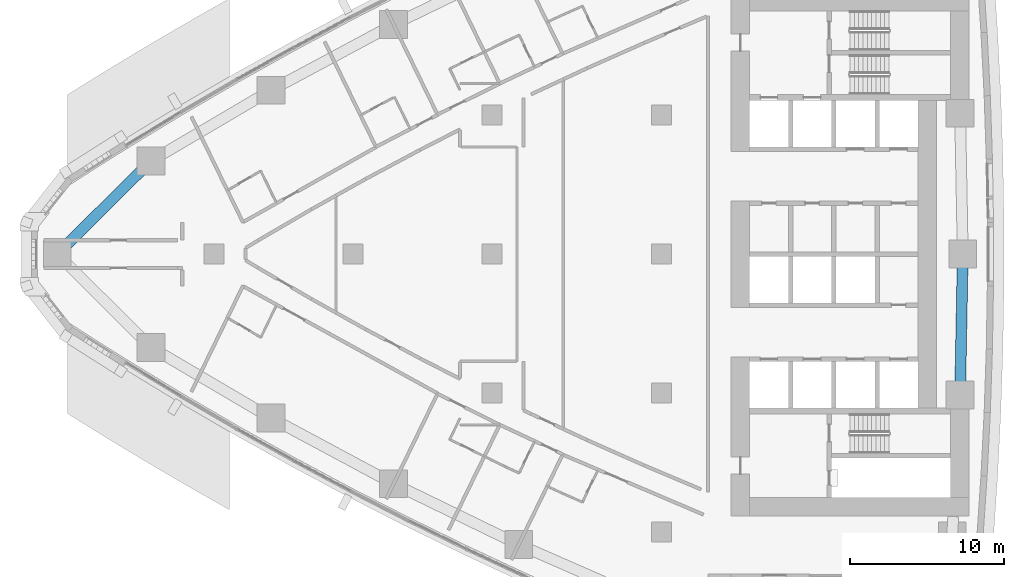
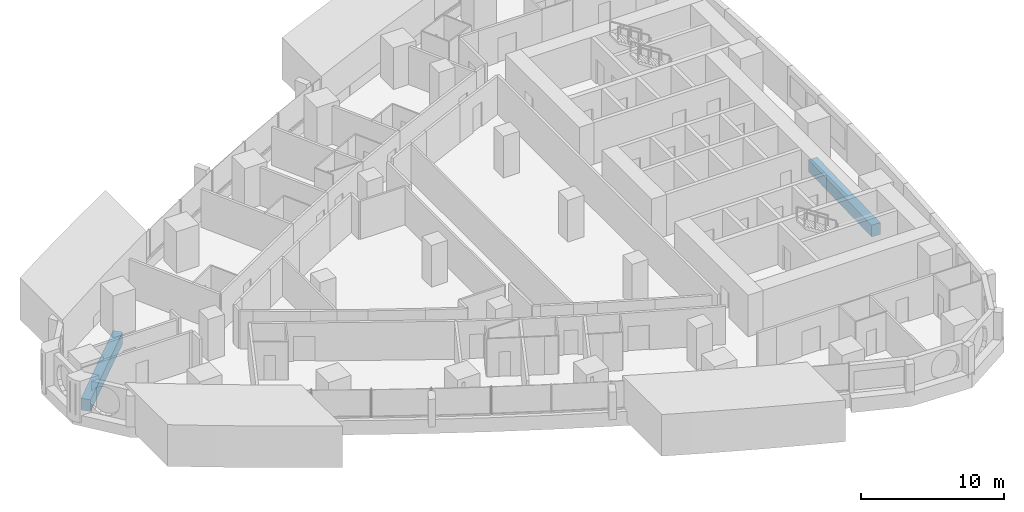
# One storey, part 4 of 19: 2 beams.
"""IFC4 building model written with IfcOpenShell, lengths in metres."""

from ifc_helpers import new_model, si_unit, direction, frame, origin, origin_2d, place, context, subcontext, project, spatial, rectangle, extrude, material, material_profile, profile_set, type_object, element, save


model = new_model("IFC4")

# Units and contexts
model_context = context("Model", 3, precision=1e-05, world=origin(), true_north=direction((0.0, 1.0)))
body_context = subcontext(model_context, "Body", "Model", "MODEL_VIEW")
ifc_project = project(units=[si_unit("LENGTHUNIT", "METRE"), si_unit("AREAUNIT", "SQUARE_METRE"), si_unit("VOLUMEUNIT", "CUBIC_METRE"), si_unit("PLANEANGLEUNIT", "RADIAN"), si_unit("MASSUNIT", "GRAM", prefix="KILO")], contexts=[model_context])

# Site, building, storey
site_placement = place(None, origin())
site = spatial("IfcSite", under=ifc_project, at=site_placement, CompositionType="ELEMENT")
building_placement = place(site_placement, origin())
building = spatial("IfcBuilding", under=site, at=building_placement, Name="Ostrand Prow Hotel Tower", CompositionType="ELEMENT")
storey_placement = place(building_placement, frame((0.0, 0.0, 43.14990234375)))
storey = spatial("IfcBuildingStorey", under=building, at=storey_placement, Name="L08", CompositionType="ELEMENT", Elevation=43.14990234375)

# Beams
ifc_material = material(Name="Concrete C80/95", Category="concrete")
ifc_material_profile = material_profile(ifc_material, rectangle(XDim=0.699951171875, YDim=1.0, at=origin_2d()), Name="RC 700x1000")
ifc_profile_set = profile_set([ifc_material_profile], Name="Concrete C80/95")
beam_type = type_object("IfcBeamType", Name="Edge beam 700x1000 C80/95", PredefinedType="SPANDREL", material=ifc_profile_set)
beam_1_placement = place(storey_placement, frame((64.328369140625, -9.130859375, -0.7998046875), z_axis=(0.018793471688, 0.999823387115, 0.0), x_axis=(-0.999823387115, 0.018793471688, 0.0)))
element("IfcBeam", 1, at=beam_1_placement, inside=storey, type_object=beam_type, Name="Edge beam B2-B3", PredefinedType="SPANDREL", context=body_context, shape_type="SweptSolid", body=[
    extrude(rectangle(XDim=0.699951171875, YDim=1.0, at=origin_2d()), origin(), (0.0, 0.0, 1.0), 9.132568359375),
])
beam_2_placement = place(storey_placement, frame((11.926513671875, 6.0419921875, -0.7998046875), z_axis=(-0.709211674915, -0.70499560294, 0.0), x_axis=(0.70499560294, -0.709211674915, 0.0)))
element("IfcBeam", 2, at=beam_2_placement, inside=storey, type_object=beam_type, Name="Edge beam N6-P", PredefinedType="SPANDREL", context=body_context, shape_type="SweptSolid", body=[
    extrude(rectangle(XDim=0.699951171875, YDim=1.0, at=origin_2d()), origin(), (0.0, 0.0, 1.0), 8.5703125),
])

save(model, "model.ifc")
